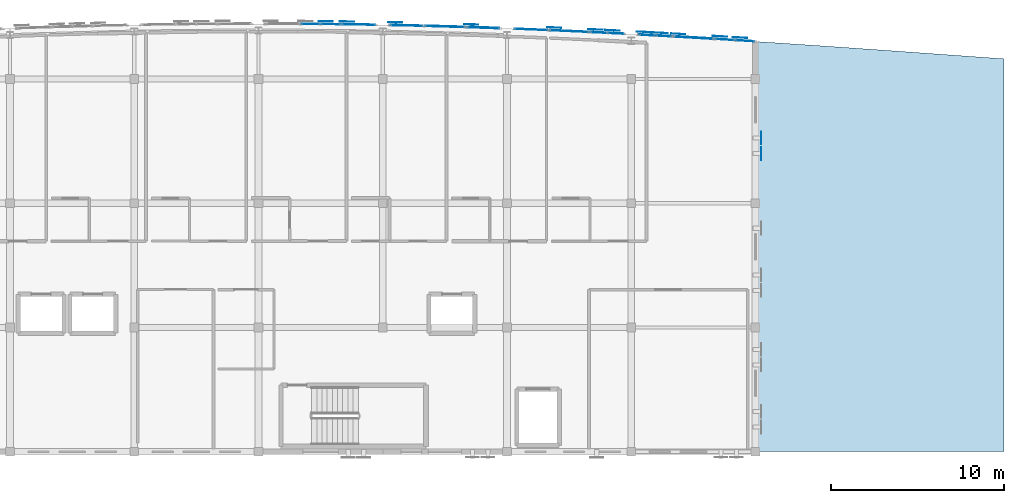
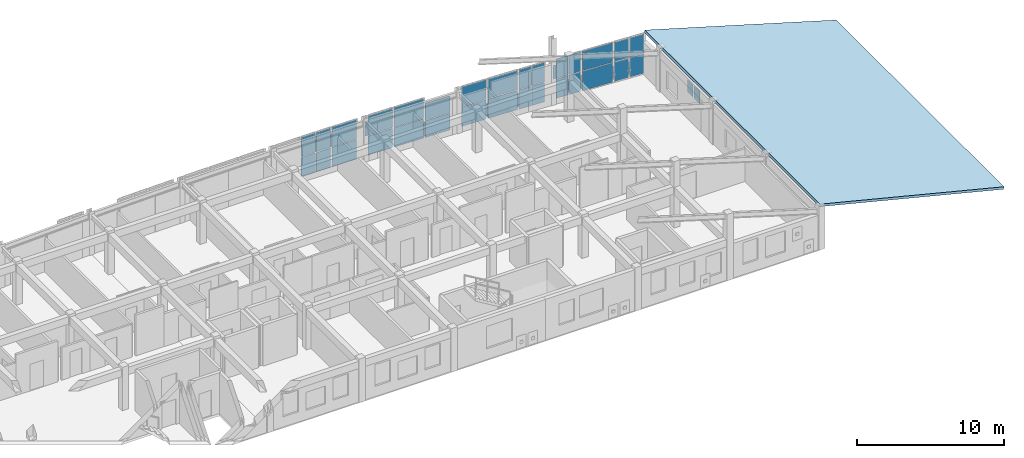
# One storey, part 24 of 34: 44 plates, 1 slab, 11 elements without a shape of their own.
"""IFC4 building model written with IfcOpenShell, lengths in metres."""

from ifc_helpers import new_model, si_unit, direction, frame, origin, origin_2d, place, context, subcontext, project, spatial, polyline, rectangle, outline, extrude, material, layer, layer_set, type_object, element, aggregate, save


model = new_model("IFC4")

# Units and contexts
model_context = context("Model", 3, precision=1e-05, world=origin(), true_north=direction((0.0, 1.0)))
body_context = subcontext(model_context, "Body", "Model", "MODEL_VIEW")
ifc_project = project(units=[si_unit("LENGTHUNIT", "METRE"), si_unit("AREAUNIT", "SQUARE_METRE"), si_unit("VOLUMEUNIT", "CUBIC_METRE"), si_unit("PLANEANGLEUNIT", "RADIAN"), si_unit("MASSUNIT", "GRAM", prefix="KILO")], contexts=[model_context])

# Site, building, storey
site_placement = place(None, origin())
site = spatial("IfcSite", under=ifc_project, at=site_placement, CompositionType="ELEMENT")
building_placement = place(site_placement, origin())
building = spatial("IfcBuilding", under=site, at=building_placement, Name="Carrowvane Square Congress Hotel", CompositionType="ELEMENT")
storey_placement = place(building_placement, frame((0.0, 0.0, 40.800048828125)))
storey = spatial("IfcBuildingStorey", under=building, at=storey_placement, Name="L10", CompositionType="ELEMENT", Elevation=40.800048828125)

# Curtain wall, plates
ifc_material_1 = material(Name="Anodised aluminium", Category="aluminium")
ifc_layer_1 = layer(ifc_material_1, 0.24609375)
ifc_layer_set_1 = layer_set([ifc_layer_1], Name="Anodised aluminium")
curtain_wall_type_1 = type_object("IfcCurtainWallType", Name="CW-SYS-8", PredefinedType="NOTDEFINED", material=ifc_layer_set_1)
curtain_wall_1_placement = place(storey_placement, origin())
curtain_wall_1 = element("IfcCurtainWall", 1, at=curtain_wall_1_placement, inside=storey, type_object=curtain_wall_type_1, Name="L10 unitised curtain wall 575", PredefinedType="NOTDEFINED")
ifc_material_2 = material(Name="Double-glazed low-E glass", Category="glass")
ifc_layer_2 = layer(ifc_material_2, 0.028076171875)
ifc_layer_set_2 = layer_set([ifc_layer_2], Name="Double-glazed low-E glass")
plate_type_1 = type_object("IfcPlateType", Name="CW-PAN-1", PredefinedType="CURTAIN_PANEL", material=ifc_layer_set_2)
plate_1_placement = place(storey_placement, frame((101.017578125, 116.586181640625, 0.070068359375), z_axis=(0.0, 0.0, 1.0), x_axis=(0.999952146231, -0.009782905924, 0.0)))
plate_1 = element("IfcPlate", 2, at=plate_1_placement, type_object=plate_type_1, Name="CW-8 panel 1.1", PredefinedType="CURTAIN_PANEL", context=body_context, shape_type="SweptSolid", body=[
    extrude(rectangle(XDim=1.094970703125, YDim=0.028076171875, at=origin_2d()), origin(), (0.0, 0.0, 1.0), 1.5849609375),
])
plate_2_placement = place(storey_placement, frame((101.017578125, 116.586181640625, 1.724853515625), z_axis=(0.0, 0.0, 1.0), x_axis=(0.999952146231, -0.009782905924, 0.0)))
plate_2 = element("IfcPlate", 3, at=plate_2_placement, type_object=plate_type_1, Name="CW-8 panel 1.2", PredefinedType="CURTAIN_PANEL", context=body_context, shape_type="SweptSolid", body=[
    extrude(rectangle(XDim=1.094970703125, YDim=0.028076171875, at=origin_2d()), origin(), (0.0, 0.0, 1.0), 1.5849609375),
])
plate_3_placement = place(storey_placement, frame((102.182373046875, 116.57470703125, 0.070068359375), z_axis=(0.0, 0.0, 1.0), x_axis=(0.999952146231, -0.009782905924, 0.0)))
plate_3 = element("IfcPlate", 4, at=plate_3_placement, type_object=plate_type_1, Name="CW-8 panel 2.1", PredefinedType="CURTAIN_PANEL", context=body_context, shape_type="SweptSolid", body=[
    extrude(rectangle(XDim=1.094970703125, YDim=0.028076171875, at=origin_2d()), origin(), (0.0, 0.0, 1.0), 1.5849609375),
])
plate_4_placement = place(storey_placement, frame((102.182373046875, 116.57470703125, 1.724853515625), z_axis=(0.0, 0.0, 1.0), x_axis=(0.999952146231, -0.009782905924, 0.0)))
plate_4 = element("IfcPlate", 5, at=plate_4_placement, type_object=plate_type_1, Name="CW-8 panel 2.2", PredefinedType="CURTAIN_PANEL", context=body_context, shape_type="SweptSolid", body=[
    extrude(rectangle(XDim=1.094970703125, YDim=0.028076171875, at=origin_2d()), origin(), (0.0, 0.0, 1.0), 1.5849609375),
])
aggregate(curtain_wall_1, [plate_1, plate_2, plate_3, plate_4])

ifc_material_3 = material(Name="Anodised aluminium", Category="aluminium")
ifc_layer_3 = layer(ifc_material_3, 0.2099609375)
ifc_layer_set_3 = layer_set([ifc_layer_3], Name="Anodised aluminium")
curtain_wall_type_2 = type_object("IfcCurtainWallType", Name="CW-SYS-5", PredefinedType="NOTDEFINED", material=ifc_layer_set_3)
curtain_wall_2_placement = place(storey_placement, origin())
curtain_wall_2 = element("IfcCurtainWall", 6, at=curtain_wall_2_placement, inside=storey, type_object=curtain_wall_type_2, Name="L10 unitised curtain wall 580", PredefinedType="NOTDEFINED")
plate_5_placement = place(storey_placement, frame((113.79931640625, 116.267822265625, 0.059814453125), z_axis=(0.0, 0.0, 1.0), x_axis=(0.999194428656, -0.040130957403, 0.0)))
plate_5 = element("IfcPlate", 7, at=plate_5_placement, type_object=plate_type_1, Name="CW-5 panel 1.1", PredefinedType="CURTAIN_PANEL", context=body_context, shape_type="SweptSolid", body=[
    extrude(rectangle(XDim=1.8828125, YDim=0.028076171875, at=origin_2d()), origin(), (0.0, 0.0, 1.0), 1.60009765625),
])
plate_6_placement = place(storey_placement, frame((113.79931640625, 116.267822265625, 1.719970703125), z_axis=(0.0, 0.0, 1.0), x_axis=(0.999194428656, -0.040130957403, 0.0)))
plate_6 = element("IfcPlate", 8, at=plate_6_placement, type_object=plate_type_1, Name="CW-5 panel 1.2", PredefinedType="CURTAIN_PANEL", context=body_context, shape_type="SweptSolid", body=[
    extrude(rectangle(XDim=1.8828125, YDim=0.028076171875, at=origin_2d()), origin(), (0.0, 0.0, 1.0), 1.60009765625),
])
aggregate(curtain_wall_2, [plate_5, plate_6])

ifc_material_4 = material(Name="Anodised aluminium", Category="aluminium")
ifc_layer_4 = layer(ifc_material_4, 0.174072265625)
ifc_layer_set_4 = layer_set([ifc_layer_4], Name="Anodised aluminium")
curtain_wall_type_3 = type_object("IfcCurtainWallType", Name="CW-SYS-2", PredefinedType="NOTDEFINED", material=ifc_layer_set_4)
curtain_wall_3_placement = place(storey_placement, origin())
curtain_wall_3 = element("IfcCurtainWall", 9, at=curtain_wall_3_placement, inside=storey, type_object=curtain_wall_type_3, Name="L10 unitised curtain wall 585", PredefinedType="NOTDEFINED")
plate_7_placement = place(storey_placement, frame((125.017578125, 115.685791015625, 0.070068359375), z_axis=(0.0, 0.0, 1.0), x_axis=(0.998051299971, -0.062398738983, 0.0)))
plate_7 = element("IfcPlate", 10, at=plate_7_placement, type_object=plate_type_1, Name="CW-2 panel 1.1", PredefinedType="CURTAIN_PANEL", context=body_context, shape_type="SweptSolid", body=[
    extrude(rectangle(XDim=1.097412109375, YDim=0.028076171875, at=origin_2d()), origin(), (0.0, 0.0, 1.0), 1.5849609375),
])
plate_8_placement = place(storey_placement, frame((125.017578125, 115.685791015625, 1.724853515625), z_axis=(0.0, 0.0, 1.0), x_axis=(0.998051299971, -0.062398738983, 0.0)))
plate_8 = element("IfcPlate", 11, at=plate_8_placement, type_object=plate_type_1, Name="CW-2 panel 1.2", PredefinedType="CURTAIN_PANEL", context=body_context, shape_type="SweptSolid", body=[
    extrude(rectangle(XDim=1.097412109375, YDim=0.028076171875, at=origin_2d()), origin(), (0.0, 0.0, 1.0), 1.5849609375),
])
plate_9_placement = place(storey_placement, frame((126.1826171875, 115.61279296875, 0.070068359375), z_axis=(0.0, 0.0, 1.0), x_axis=(0.998051299971, -0.062398738983, 0.0)))
plate_9 = element("IfcPlate", 12, at=plate_9_placement, type_object=plate_type_1, Name="CW-2 panel 2.1", PredefinedType="CURTAIN_PANEL", context=body_context, shape_type="SweptSolid", body=[
    extrude(rectangle(XDim=1.097412109375, YDim=0.028076171875, at=origin_2d()), origin(), (0.0, 0.0, 1.0), 1.5849609375),
])
plate_10_placement = place(storey_placement, frame((126.1826171875, 115.61279296875, 1.724853515625), z_axis=(0.0, 0.0, 1.0), x_axis=(0.998051299971, -0.062398738983, 0.0)))
plate_10 = element("IfcPlate", 13, at=plate_10_placement, type_object=plate_type_1, Name="CW-2 panel 2.2", PredefinedType="CURTAIN_PANEL", context=body_context, shape_type="SweptSolid", body=[
    extrude(rectangle(XDim=1.097412109375, YDim=0.028076171875, at=origin_2d()), origin(), (0.0, 0.0, 1.0), 1.5849609375),
])
aggregate(curtain_wall_3, [plate_7, plate_8, plate_9, plate_10])

ifc_material_5 = material(Name="Anodised aluminium", Category="aluminium")
ifc_layer_5 = layer(ifc_material_5, 0.162109375)
ifc_layer_set_5 = layer_set([ifc_layer_5], Name="Anodised aluminium")
curtain_wall_type_4 = type_object("IfcCurtainWallType", Name="CW-SYS-1", PredefinedType="NOTDEFINED", material=ifc_layer_set_5)
curtain_wall_4_placement = place(storey_placement, origin())
curtain_wall_4 = element("IfcCurtainWall", 14, at=curtain_wall_4_placement, inside=storey, type_object=curtain_wall_type_4, Name="L10 unitised curtain wall 576", PredefinedType="NOTDEFINED")
ifc_material_6 = material(Name="Double-glazed low-E glass", Category="glass")
ifc_layer_6 = layer(ifc_material_6, 0.031982421875)
ifc_layer_set_6 = layer_set([ifc_layer_6], Name="Double-glazed low-E glass")
plate_type_2 = type_object("IfcPlateType", Name="CW-PAN-2", PredefinedType="CURTAIN_PANEL", material=ifc_layer_set_6)
plate_11_placement = place(storey_placement, frame((103.811279296875, 116.55224609375, 0.059814453125), z_axis=(0.0, 0.0, 1.0), x_axis=(0.99986851233, -0.016215981364, 0.0)))
plate_11 = element("IfcPlate", 15, at=plate_11_placement, type_object=plate_type_2, Name="CW-1 panel 1.1", PredefinedType="CURTAIN_PANEL", context=body_context, shape_type="SweptSolid", body=[
    extrude(rectangle(XDim=1.902587890625, YDim=0.031982421875, at=origin_2d()), origin(), (0.0, 0.0, 1.0), 1.60009765625),
])
plate_12_placement = place(storey_placement, frame((103.811279296875, 116.55224609375, 1.719970703125), z_axis=(0.0, 0.0, 1.0), x_axis=(0.99986851233, -0.016215981364, 0.0)))
plate_12 = element("IfcPlate", 16, at=plate_12_placement, type_object=plate_type_2, Name="CW-1 panel 1.2", PredefinedType="CURTAIN_PANEL", context=body_context, shape_type="SweptSolid", body=[
    extrude(rectangle(XDim=1.902587890625, YDim=0.031982421875, at=origin_2d()), origin(), (0.0, 0.0, 1.0), 1.60009765625),
])
aggregate(curtain_wall_4, [plate_11, plate_12])

ifc_material_7 = material(Name="Anodised aluminium", Category="aluminium")
ifc_layer_7 = layer(ifc_material_7, 0.221923828125)
ifc_layer_set_7 = layer_set([ifc_layer_7], Name="Anodised aluminium")
curtain_wall_type_5 = type_object("IfcCurtainWallType", Name="CW-SYS-6", PredefinedType="NOTDEFINED", material=ifc_layer_set_7)
curtain_wall_5_placement = place(storey_placement, origin())
curtain_wall_5 = element("IfcCurtainWall", 17, at=curtain_wall_5_placement, inside=storey, type_object=curtain_wall_type_5, Name="L10 unitised curtain wall 581", PredefinedType="NOTDEFINED")
plate_13_placement = place(storey_placement, frame((116.0, 116.173095703125, 0.070068359375), z_axis=(0.0, 0.0, 1.0), x_axis=(0.998968385726, -0.045411059449, 0.0)))
plate_13 = element("IfcPlate", 18, at=plate_13_placement, type_object=plate_type_2, Name="CW-6 panel 1.1", PredefinedType="CURTAIN_PANEL", context=body_context, shape_type="SweptSolid", body=[
    extrude(rectangle(XDim=2.262451171875, YDim=0.031982421875, at=origin_2d()), origin(), (0.0, 0.0, 1.0), 1.5849609375),
])
plate_14_placement = place(storey_placement, frame((116.0, 116.173095703125, 1.724853515625), z_axis=(0.0, 0.0, 1.0), x_axis=(0.998968385726, -0.045411059449, 0.0)))
plate_14 = element("IfcPlate", 19, at=plate_14_placement, type_object=plate_type_2, Name="CW-6 panel 1.2", PredefinedType="CURTAIN_PANEL", context=body_context, shape_type="SweptSolid", body=[
    extrude(rectangle(XDim=2.262451171875, YDim=0.031982421875, at=origin_2d()), origin(), (0.0, 0.0, 1.0), 1.5849609375),
])
aggregate(curtain_wall_5, [plate_13, plate_14])

curtain_wall_6_placement = place(storey_placement, origin())
curtain_wall_6 = element("IfcCurtainWall", 20, at=curtain_wall_6_placement, inside=storey, type_object=curtain_wall_type_3, Name="L10 unitised curtain wall 577", PredefinedType="NOTDEFINED")
ifc_material_8 = material(Name="Double-glazed low-E glass", Category="glass")
ifc_layer_8 = layer(ifc_material_8, 0.035888671875)
ifc_layer_set_8 = layer_set([ifc_layer_8], Name="Double-glazed low-E glass")
plate_type_3 = type_object("IfcPlateType", Name="CW-PAN-3", PredefinedType="CURTAIN_PANEL", material=ifc_layer_set_8)
plate_15_placement = place(storey_placement, frame((106.59619140625, 116.498291015625, 0.070068359375), z_axis=(0.0, 0.0, 1.0), x_axis=(0.99974644475, -0.022517686606, 0.0)))
plate_15 = element("IfcPlate", 21, at=plate_15_placement, type_object=plate_type_3, Name="CW-2 panel 1.1", PredefinedType="CURTAIN_PANEL", context=body_context, shape_type="SweptSolid", body=[
    extrude(rectangle(XDim=1.8681640625, YDim=0.035888671875, at=origin_2d()), origin(), (0.0, 0.0, 1.0), 1.5849609375),
])
plate_16_placement = place(storey_placement, frame((106.59619140625, 116.498291015625, 1.724853515625), z_axis=(0.0, 0.0, 1.0), x_axis=(0.99974644475, -0.022517686606, 0.0)))
plate_16 = element("IfcPlate", 22, at=plate_16_placement, type_object=plate_type_3, Name="CW-2 panel 1.2", PredefinedType="CURTAIN_PANEL", context=body_context, shape_type="SweptSolid", body=[
    extrude(rectangle(XDim=1.8681640625, YDim=0.035888671875, at=origin_2d()), origin(), (0.0, 0.0, 1.0), 1.5849609375),
])
aggregate(curtain_wall_6, [plate_15, plate_16])

ifc_material_9 = material(Name="Anodised aluminium", Category="aluminium")
ifc_layer_9 = layer(ifc_material_9, 0.23388671875)
ifc_layer_set_9 = layer_set([ifc_layer_9], Name="Anodised aluminium")
curtain_wall_type_6 = type_object("IfcCurtainWallType", Name="CW-SYS-7", PredefinedType="NOTDEFINED", material=ifc_layer_set_9)
curtain_wall_7_placement = place(storey_placement, origin())
curtain_wall_7 = element("IfcCurtainWall", 23, at=curtain_wall_7_placement, inside=storey, type_object=curtain_wall_type_6, Name="L10 unitised curtain wall 582", PredefinedType="NOTDEFINED")
plate_17_placement = place(storey_placement, frame((117.723876953125, 116.092041015625, 0.059814453125), z_axis=(0.0, 0.0, 1.0), x_axis=(0.998732955299, -0.050323791596, 0.0)))
plate_17 = element("IfcPlate", 24, at=plate_17_placement, type_object=plate_type_3, Name="CW-7 panel 1.1", PredefinedType="CURTAIN_PANEL", context=body_context, shape_type="SweptSolid", body=[
    extrude(rectangle(XDim=0.928955078125, YDim=0.035888671875, at=origin_2d()), origin(), (0.0, 0.0, 1.0), 1.60009765625),
])
plate_18_placement = place(storey_placement, frame((117.723876953125, 116.092041015625, 1.719970703125), z_axis=(0.0, 0.0, 1.0), x_axis=(0.998732955299, -0.050323791596, 0.0)))
plate_18 = element("IfcPlate", 25, at=plate_18_placement, type_object=plate_type_3, Name="CW-7 panel 1.2", PredefinedType="CURTAIN_PANEL", context=body_context, shape_type="SweptSolid", body=[
    extrude(rectangle(XDim=0.928955078125, YDim=0.035888671875, at=origin_2d()), origin(), (0.0, 0.0, 1.0), 1.60009765625),
])
plate_19_placement = place(storey_placement, frame((118.711669921875, 116.042236328125, 0.059814453125), z_axis=(0.0, 0.0, 1.0), x_axis=(0.998732955299, -0.050323791596, 0.0)))
plate_19 = element("IfcPlate", 26, at=plate_19_placement, type_object=plate_type_3, Name="CW-7 panel 2.1", PredefinedType="CURTAIN_PANEL", context=body_context, shape_type="SweptSolid", body=[
    extrude(rectangle(XDim=0.928955078125, YDim=0.035888671875, at=origin_2d()), origin(), (0.0, 0.0, 1.0), 1.60009765625),
])
plate_20_placement = place(storey_placement, frame((118.711669921875, 116.042236328125, 1.719970703125), z_axis=(0.0, 0.0, 1.0), x_axis=(0.998732955299, -0.050323791596, 0.0)))
plate_20 = element("IfcPlate", 27, at=plate_20_placement, type_object=plate_type_3, Name="CW-7 panel 2.2", PredefinedType="CURTAIN_PANEL", context=body_context, shape_type="SweptSolid", body=[
    extrude(rectangle(XDim=0.928955078125, YDim=0.035888671875, at=origin_2d()), origin(), (0.0, 0.0, 1.0), 1.60009765625),
])
aggregate(curtain_wall_7, [plate_17, plate_18, plate_19, plate_20])

ifc_material_10 = material(Name="Anodised aluminium", Category="aluminium")
ifc_layer_10 = layer(ifc_material_10, 0.18603515625)
ifc_layer_set_10 = layer_set([ifc_layer_10], Name="Anodised aluminium")
curtain_wall_type_7 = type_object("IfcCurtainWallType", Name="CW-SYS-3", PredefinedType="NOTDEFINED", material=ifc_layer_set_10)
curtain_wall_8_placement = place(storey_placement, origin())
curtain_wall_8 = element("IfcCurtainWall", 28, at=curtain_wall_8_placement, inside=storey, type_object=curtain_wall_type_7, Name="L10 unitised curtain wall 578", PredefinedType="NOTDEFINED")
ifc_material_11 = material(Name="Double-glazed low-E glass", Category="glass")
ifc_layer_11 = layer(ifc_material_11, 0.0419921875)
ifc_layer_set_11 = layer_set([ifc_layer_11], Name="Double-glazed low-E glass")
plate_type_4 = type_object("IfcPlateType", Name="CW-PAN-4", PredefinedType="CURTAIN_PANEL", material=ifc_layer_set_11)
plate_21_placement = place(storey_placement, frame((108.800048828125, 116.44140625, 0.059814453125), z_axis=(0.0, 0.0, 1.0), x_axis=(0.999589848065, -0.028638010501, 0.0)))
plate_21 = element("IfcPlate", 29, at=plate_21_placement, type_object=plate_type_4, Name="CW-3 panel 1.1", PredefinedType="CURTAIN_PANEL", context=body_context, shape_type="SweptSolid", body=[
    extrude(rectangle(XDim=2.281005859375, YDim=0.0419921875, at=origin_2d()), origin(), (0.0, 0.0, 1.0), 1.60009765625),
])
plate_22_placement = place(storey_placement, frame((108.800048828125, 116.44140625, 1.719970703125), z_axis=(0.0, 0.0, 1.0), x_axis=(0.999589848065, -0.028638010501, 0.0)))
plate_22 = element("IfcPlate", 30, at=plate_22_placement, type_object=plate_type_4, Name="CW-3 panel 1.2", PredefinedType="CURTAIN_PANEL", context=body_context, shape_type="SweptSolid", body=[
    extrude(rectangle(XDim=2.281005859375, YDim=0.0419921875, at=origin_2d()), origin(), (0.0, 0.0, 1.0), 1.60009765625),
])
aggregate(curtain_wall_8, [plate_21, plate_22])

curtain_wall_9_placement = place(storey_placement, origin())
curtain_wall_9 = element("IfcCurtainWall", 31, at=curtain_wall_9_placement, inside=storey, type_object=curtain_wall_type_1, Name="L10 unitised curtain wall 583", PredefinedType="NOTDEFINED")
plate_23_placement = place(storey_placement, frame((120.520751953125, 115.947021484375, 0.070068359375), z_axis=(0.0, 0.0, 1.0), x_axis=(0.998496473856, -0.054815980317, 0.0)))
plate_23 = element("IfcPlate", 32, at=plate_23_placement, type_object=plate_type_4, Name="CW-8 panel 1.1", PredefinedType="CURTAIN_PANEL", context=body_context, shape_type="SweptSolid", body=[
    extrude(rectangle(XDim=0.894287109375, YDim=0.0419921875, at=origin_2d()), origin(), (0.0, 0.0, 1.0), 1.5849609375),
])
plate_24_placement = place(storey_placement, frame((120.520751953125, 115.947021484375, 1.724853515625), z_axis=(0.0, 0.0, 1.0), x_axis=(0.998496473856, -0.054815980317, 0.0)))
plate_24 = element("IfcPlate", 33, at=plate_24_placement, type_object=plate_type_4, Name="CW-8 panel 1.2", PredefinedType="CURTAIN_PANEL", context=body_context, shape_type="SweptSolid", body=[
    extrude(rectangle(XDim=0.894287109375, YDim=0.0419921875, at=origin_2d()), origin(), (0.0, 0.0, 1.0), 1.5849609375),
])
plate_25_placement = place(storey_placement, frame((121.483642578125, 115.894287109375, 0.070068359375), z_axis=(0.0, 0.0, 1.0), x_axis=(0.998496473856, -0.054815980317, 0.0)))
plate_25 = element("IfcPlate", 34, at=plate_25_placement, type_object=plate_type_4, Name="CW-8 panel 2.1", PredefinedType="CURTAIN_PANEL", context=body_context, shape_type="SweptSolid", body=[
    extrude(rectangle(XDim=0.894287109375, YDim=0.0419921875, at=origin_2d()), origin(), (0.0, 0.0, 1.0), 1.5849609375),
])
plate_26_placement = place(storey_placement, frame((121.483642578125, 115.894287109375, 1.724853515625), z_axis=(0.0, 0.0, 1.0), x_axis=(0.998496473856, -0.054815980317, 0.0)))
plate_26 = element("IfcPlate", 35, at=plate_26_placement, type_object=plate_type_4, Name="CW-8 panel 2.2", PredefinedType="CURTAIN_PANEL", context=body_context, shape_type="SweptSolid", body=[
    extrude(rectangle(XDim=0.894287109375, YDim=0.0419921875, at=origin_2d()), origin(), (0.0, 0.0, 1.0), 1.5849609375),
])
aggregate(curtain_wall_9, [plate_23, plate_24, plate_25, plate_26])

ifc_material_12 = material(Name="Anodised aluminium", Category="aluminium")
ifc_layer_12 = layer(ifc_material_12, 0.197998046875)
ifc_layer_set_12 = layer_set([ifc_layer_12], Name="Anodised aluminium")
curtain_wall_type_8 = type_object("IfcCurtainWallType", Name="CW-SYS-4", PredefinedType="NOTDEFINED", material=ifc_layer_set_12)
curtain_wall_10_placement = place(storey_placement, origin())
curtain_wall_10 = element("IfcCurtainWall", 36, at=curtain_wall_10_placement, inside=storey, type_object=curtain_wall_type_8, Name="L10 unitised curtain wall 579", PredefinedType="NOTDEFINED")
ifc_material_13 = material(Name="Double-glazed low-E glass", Category="glass")
ifc_layer_13 = layer(ifc_material_13, 0.048095703125)
ifc_layer_set_13 = layer_set([ifc_layer_13], Name="Double-glazed low-E glass")
plate_type_5 = type_object("IfcPlateType", Name="CW-PAN-5", PredefinedType="CURTAIN_PANEL", material=ifc_layer_set_13)
plate_27_placement = place(storey_placement, frame((111.0146484375, 116.371826171875, 0.06982421875), z_axis=(0.0, 0.0, 1.0), x_axis=(0.999403663525, -0.034529948347, 0.0)))
plate_27 = element("IfcPlate", 37, at=plate_27_placement, type_object=plate_type_5, Name="CW-4 panel 1.1", PredefinedType="CURTAIN_PANEL", context=body_context, shape_type="SweptSolid", body=[
    extrude(rectangle(XDim=1.890625, YDim=0.048095703125, at=origin_2d()), origin(), (0.0, 0.0, 1.0), 1.372802734375),
])
plate_28_placement = place(storey_placement, frame((111.0146484375, 116.371826171875, 1.5126953125), z_axis=(0.0, 0.0, 1.0), x_axis=(0.999403663525, -0.034529948347, 0.0)))
plate_28 = element("IfcPlate", 38, at=plate_28_placement, type_object=plate_type_5, Name="CW-4 panel 1.2", PredefinedType="CURTAIN_PANEL", context=body_context, shape_type="SweptSolid", body=[
    extrude(rectangle(XDim=1.890625, YDim=0.048095703125, at=origin_2d()), origin(), (0.0, 0.0, 1.0), 1.372802734375),
])
aggregate(curtain_wall_10, [plate_27, plate_28])

curtain_wall_11_placement = place(storey_placement, origin())
curtain_wall_11 = element("IfcCurtainWall", 39, at=curtain_wall_11_placement, inside=storey, type_object=curtain_wall_type_4, Name="L10 unitised curtain wall 584", PredefinedType="NOTDEFINED")
plate_29_placement = place(storey_placement, frame((123.199951171875, 115.795166015625, 0.059814453125), z_axis=(0.0, 0.0, 1.0), x_axis=(0.998266763162, -0.058851249486, 0.0)))
plate_29 = element("IfcPlate", 40, at=plate_29_placement, type_object=plate_type_5, Name="CW-1 panel 1.1", PredefinedType="CURTAIN_PANEL", context=body_context, shape_type="SweptSolid", body=[
    extrude(rectangle(XDim=2.2841796875, YDim=0.048095703125, at=origin_2d()), origin(), (0.0, 0.0, 1.0), 1.60009765625),
])
plate_30_placement = place(storey_placement, frame((123.199951171875, 115.795166015625, 1.719970703125), z_axis=(0.0, 0.0, 1.0), x_axis=(0.998266763162, -0.058851249486, 0.0)))
plate_30 = element("IfcPlate", 41, at=plate_30_placement, type_object=plate_type_5, Name="CW-1 panel 1.2", PredefinedType="CURTAIN_PANEL", context=body_context, shape_type="SweptSolid", body=[
    extrude(rectangle(XDim=2.2841796875, YDim=0.048095703125, at=origin_2d()), origin(), (0.0, 0.0, 1.0), 1.60009765625),
])
aggregate(curtain_wall_11, [plate_29, plate_30])

# Plates
ifc_material_14 = material(Name="Champagne-gold anodised aluminium", Category="aluminium")
ifc_layer_14 = layer(ifc_material_14, 0.011962890625)
ifc_layer_set_14 = layer_set([ifc_layer_14], Name="Champagne-gold anodised aluminium")
plate_type_6 = type_object("IfcPlateType", Name="PLT-PIX-GOLD12", PredefinedType="SHEET", material=ifc_layer_set_14)
for number, where, z_axis, x_axis, name in (
    (42, (101.891357421875, 116.74365234375, 1.58984375), (0.0, 0.0, 1.0), (0.999952150705, -0.009782448565, 0.0), "Champagne-gold pixel screen plate 961"),
    (43, (105.920654296875, 116.679443359375, 1.58984375), (0.0, 0.0, 1.0), (0.999746418061, -0.022518871507, 0.0), "Champagne-gold pixel screen plate 963"),
    (44, (110.330322265625, 116.5615234375, 0.119873046875), (0.0, 0.0, 1.0), (0.999403768784, -0.034526901703, 0.0), "Champagne-gold pixel screen plate 964"),
    (45, (115.132080078125, 116.378662109375, 0.119873046875), (0.0, 0.0, 1.0), (0.998968255262, -0.045413929349, 0.0), "Champagne-gold pixel screen plate 965"),
    (46, (120.337890625, 116.123291015625, 1.58984375), (0.0, 0.0, 1.0), (0.998496552462, -0.054814548441, 0.0), "Champagne-gold pixel screen plate 968"),
    (47, (121.30078125, 116.070556640625, 0.119873046875), (0.0, 0.0, 1.0), (0.998496552462, -0.054814548441, 0.0), "Champagne-gold pixel screen plate 969"),
    (48, (124.734619140625, 115.86962890625, 0.119873046875), (0.0, 0.0, 1.0), (0.998051413269, -0.062396926785, 0.0), "Champagne-gold pixel screen plate 971"),
    (49, (125.899658203125, 115.796875, 0.119873046875), (0.0, 0.0, 1.0), (0.998051413269, -0.062396926785, 0.0), "Champagne-gold pixel screen plate 972"),
):
    element("IfcPlate", number, at=place(storey_placement, frame(where, z_axis=z_axis, x_axis=x_axis)), inside=storey, type_object=plate_type_6, Name=name, PredefinedType="SHEET", context=body_context, shape_type="SweptSolid", body=[
        extrude(rectangle(XDim=0.827880859375, YDim=0.011962890625, at=origin_2d()), origin(), (0.0, 0.0, 1.0), 1.1201171875),
    ])
for number, where, z_axis, x_axis, name in (
    (50, (127.131103515625, 109.974365234375, 1.52490234375), (0.0, 0.0, 1.0), (0.0, -1.0, 0.0), "Champagne-gold pixel screen plate S-973"),
    (51, (127.131103515625, 109.07421875, 1.52490234375), (0.0, 0.0, 1.0), (0.0, -1.0, 0.0), "Champagne-gold pixel screen plate S-974"),
):
    element("IfcPlate", number, at=place(storey_placement, frame(where, z_axis=z_axis, x_axis=x_axis)), inside=storey, type_object=plate_type_6, Name=name, PredefinedType="SHEET", context=body_context, shape_type="SweptSolid", body=[
        extrude(rectangle(XDim=0.738037109375, YDim=0.011962890625, at=origin_2d()), origin(), (0.0, 0.0, 1.0), 1.050048828125),
    ])
ifc_material_15 = material(Name="Champagne-gold anodised aluminium", Category="aluminium")
ifc_layer_15 = layer(ifc_material_15, 0.008056640625)
ifc_layer_set_15 = layer_set([ifc_layer_15], Name="Champagne-gold anodised aluminium")
plate_type_7 = type_object("IfcPlateType", Name="PLT-PIX-GOLD8", PredefinedType="SHEET", material=ifc_layer_set_15)
for number, where, z_axis, x_axis, name in (
    (52, (103.122314453125, 116.7275390625, 1.58984375), (0.0, 0.0, 1.0), (0.999868508772, -0.016216200758, 0.0), "Champagne-gold pixel screen plate 962"),
    (53, (117.527587890625, 116.26611328125, 0.119873046875), (0.0, 0.0, 1.0), (0.998733066647, -0.050321581706, 0.0), "Champagne-gold pixel screen plate 966"),
    (54, (118.515380859375, 116.216552734375, 1.58984375), (0.0, 0.0, 1.0), (0.998733066647, -0.050321581706, 0.0), "Champagne-gold pixel screen plate 967"),
    (55, (122.328857421875, 116.0107421875, 0.119873046875), (0.0, 0.0, 1.0), (0.998266695506, -0.05885239709, 0.0), "Champagne-gold pixel screen plate 970"),
):
    element("IfcPlate", number, at=place(storey_placement, frame(where, z_axis=z_axis, x_axis=x_axis)), inside=storey, type_object=plate_type_7, Name=name, PredefinedType="SHEET", context=body_context, shape_type="SweptSolid", body=[
        extrude(rectangle(XDim=0.827880859375, YDim=0.008056640625, at=origin_2d()), origin(), (0.0, 0.0, 1.0), 1.1201171875),
    ])

# Slab
ifc_material_16 = material(Name="Concrete C35/45", Category="concrete")
ifc_layer_16 = layer(ifc_material_16, 0.199951171875)
ifc_layer_set_16 = layer_set([ifc_layer_16], Name="Concrete C35/45")
slab_type = type_object("IfcSlabType", Name="SLB-ROOF-200", PredefinedType="ROOF", material=ifc_layer_set_16)
slab_placement = place(storey_placement, frame((126.800048828125, 91.800048828125, 3.599853515625), z_axis=(0.242527832046, -8.47762e-07, 0.970144448359), x_axis=(0.97014444836, 0.0, -0.242527832046)))
element("IfcSlab", 56, at=slab_placement, inside=storey, type_object=slab_type, Name="L10 shallow-arc curved roof panel SLB-RF-ARC-E2", PredefinedType="ROOF", context=body_context, shape_type="SweptSolid", body=[
    extrude(outline(polyline([(0.0, 0.0), (14.84304998453801, -4.235164736271502e-22), (14.843049984536963, 22.771240234366818), (12.369316876452853, 22.94311523428309), (9.895287705800287, 23.11523437497496), (7.421495386819686, 23.285888671967026), (4.947762278735577, 23.453613281258306), (2.4737331080830125, 23.616943359450175), (-1.094412945141039e-12, 23.774169921866456), (0.0, 0.0)])), origin(), (0.0, 0.0, -1.0), 0.199951171875),
])

save(model, "model.ifc")
